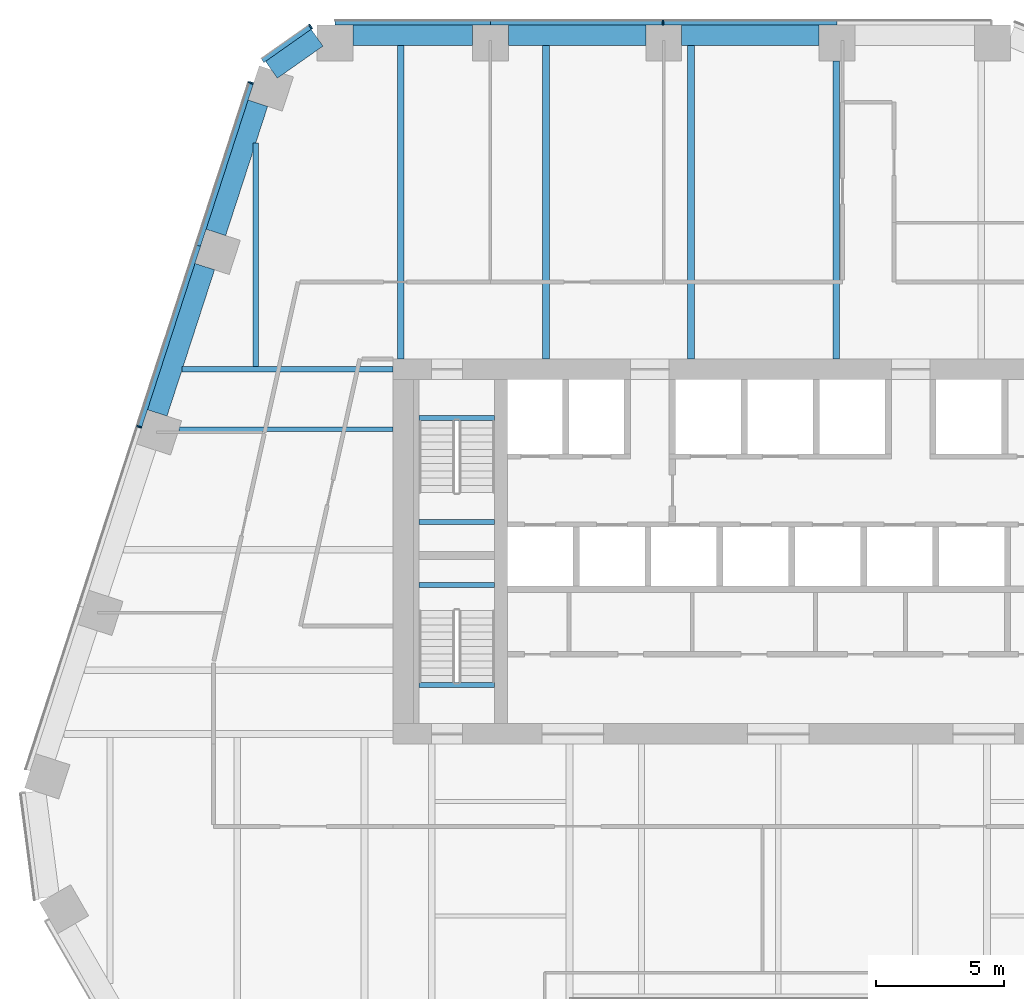
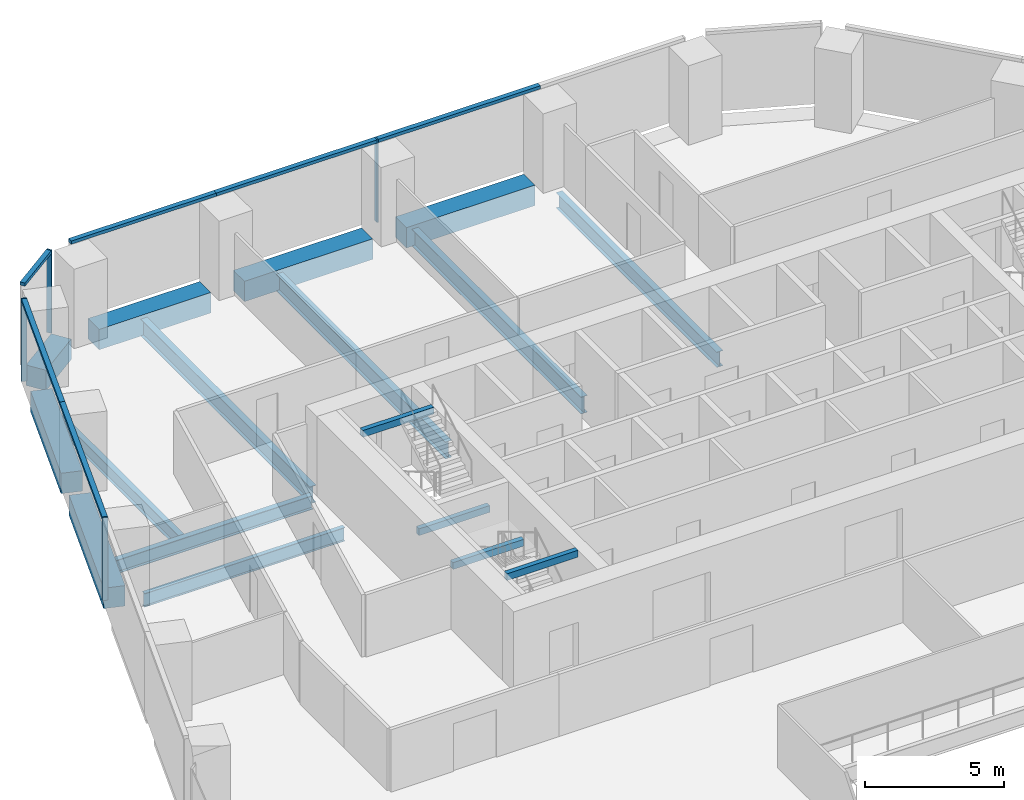
# One storey, part 7 of 16: 17 beams, 10 members, 3 elements without a shape of their own.
"""IFC4 building model written with IfcOpenShell, lengths in metres."""

from ifc_helpers import new_model, si_unit, direction, frame, origin, origin_2d, place, context, subcontext, project, spatial, rectangle, i_section, extrude, material, layer, layer_set, material_profile, profile_set, type_object, element, aggregate, save


model = new_model("IFC4")

# Units and contexts
model_context = context("Model", 3, precision=1e-05, world=origin(), true_north=direction((0.0, 1.0)))
body_context = subcontext(model_context, "Body", "Model", "MODEL_VIEW")
ifc_project = project(units=[si_unit("LENGTHUNIT", "METRE"), si_unit("AREAUNIT", "SQUARE_METRE"), si_unit("VOLUMEUNIT", "CUBIC_METRE"), si_unit("PLANEANGLEUNIT", "RADIAN"), si_unit("MASSUNIT", "GRAM", prefix="KILO")], contexts=[model_context])

# Site, building, storey
site_placement = place(None, origin())
site = spatial("IfcSite", under=ifc_project, at=site_placement, CompositionType="ELEMENT")
building_placement = place(site_placement, origin())
building = spatial("IfcBuilding", under=site, at=building_placement, Name="Isthmus Gate Tower", CompositionType="ELEMENT")
storey_placement = place(building_placement, frame((0.0, 0.0, 137.10009765625)))
storey = spatial("IfcBuildingStorey", under=building, at=storey_placement, Name="L33", CompositionType="ELEMENT", Elevation=137.10009765625)

# Curtain wall, member
ifc_material_1 = material(Name="Aluminium, pale champagne anodised", Category="aluminium")
ifc_layer = layer(ifc_material_1, 0.199951171875)
ifc_layer_set = layer_set([ifc_layer], Name="CW-1 UNITISED CURTAIN WALL 200 DEEP")
curtain_wall_type = type_object("IfcCurtainWallType", Name="CW-1 UNITISED CURTAIN WALL 200 DEEP", PredefinedType="NOTDEFINED", material=ifc_layer_set)
curtain_wall_1_placement = place(storey_placement, origin())
curtain_wall_1 = element("IfcCurtainWall", 1, at=curtain_wall_1_placement, inside=storey, type_object=curtain_wall_type, Name="CW-1 N L33", PredefinedType="NOTDEFINED")
ifc_material_2 = material(Name="Aluminium, pale champagne anodised", Category="aluminium")
ifc_material_profile_1 = material_profile(ifc_material_2, rectangle(XDim=0.06005859375, YDim=0.199951171875, at=origin_2d()), Name="60x200")
ifc_profile_set_1 = profile_set([ifc_material_profile_1], Name="Aluminium, pale champagne anodised")
member_type_1 = type_object("IfcMemberType", Name="CW-1 MULLION 60 X 200", PredefinedType="MULLION", material=ifc_profile_set_1)
member_1_placement = place(storey_placement, frame((-4.49169921875, 28.10009765625, 0.0), z_axis=(0.0, 0.0, 1.0), x_axis=(-1.0, 0.0, 0.0)))
member_1 = element("IfcMember", 2, at=member_1_placement, type_object=member_type_1, Name="CW-1 mullion", PredefinedType="MULLION", context=body_context, shape_type="SweptSolid", body=[
    extrude(rectangle(XDim=0.06005859375, YDim=0.199951171875, at=origin_2d()), origin(), (0.0, 0.0, 1.0), 3.64990234375),
])

curtain_wall_2_placement = place(storey_placement, origin())
curtain_wall_2 = element("IfcCurtainWall", 3, at=curtain_wall_2_placement, inside=storey, type_object=curtain_wall_type, Name="CW-1 N-NW L33", PredefinedType="NOTDEFINED")
member_2_placement = place(storey_placement, frame((-18.216552734375, 27.943115234375, 0.0), z_axis=(0.0, 0.0, 1.0), x_axis=(-0.81785959165, -0.57541783805, 0.0)))
member_2 = element("IfcMember", 4, at=member_2_placement, type_object=member_type_1, Name="CW-1 mullion", PredefinedType="MULLION", context=body_context, shape_type="SweptSolid", body=[
    extrude(rectangle(XDim=0.06005859375, YDim=0.199951171875, at=origin_2d()), origin(), (0.0, 0.0, 1.0), 3.64990234375),
])

# Curtain wall, members
curtain_wall_3_placement = place(storey_placement, origin())
curtain_wall_3 = element("IfcCurtainWall", 5, at=curtain_wall_3_placement, inside=storey, type_object=curtain_wall_type, Name="CW-1 NW L33", PredefinedType="NOTDEFINED")
member_3_placement = place(storey_placement, frame((-20.53564453125, 25.75146484375, 0.0), z_axis=(0.0, 0.0, 1.0), x_axis=(-0.309016994375, -0.951056516295, 0.0)))
member_3 = element("IfcMember", 6, at=member_3_placement, type_object=member_type_1, Name="CW-1 mullion", PredefinedType="MULLION", context=body_context, shape_type="SweptSolid", body=[
    extrude(rectangle(XDim=0.06005859375, YDim=0.199951171875, at=origin_2d()), origin(), (0.0, 0.0, 1.0), 3.64990234375),
])
member_4_placement = place(storey_placement, frame((-24.886962890625, 12.359130859375, 0.0), z_axis=(0.0, 0.0, 1.0), x_axis=(-0.309016994375, -0.951056516295, 0.0)))
member_4 = element("IfcMember", 7, at=member_4_placement, type_object=member_type_1, Name="CW-1 mullion", PredefinedType="MULLION", context=body_context, shape_type="SweptSolid", body=[
    extrude(rectangle(XDim=0.06005859375, YDim=0.199951171875, at=origin_2d()), origin(), (0.0, 0.0, 1.0), 3.64990234375),
])

# Member
ifc_material_3 = material(Name="Aluminium, pale champagne anodised", Category="aluminium")
ifc_material_profile_2 = material_profile(ifc_material_3, rectangle(XDim=0.199951171875, YDim=0.139892578125, at=origin_2d()), Name="200x140")
ifc_profile_set_2 = profile_set([ifc_material_profile_2], Name="Aluminium, pale champagne anodised")
member_type_2 = type_object("IfcMemberType", Name="CW-1 TRANSOM 200 X 140", PredefinedType="USERDEFINED", material=ifc_profile_set_2)
member_5_placement = place(storey_placement, frame((2.288330078125, 28.10009765625, 3.579833984375), z_axis=(-1.0, 0.0, 0.0), x_axis=(0.0, -1.0, 0.0)))
member_5 = element("IfcMember", 8, at=member_5_placement, type_object=member_type_2, Name="CW-1 transom", ObjectType="TRANSOM", PredefinedType="USERDEFINED", context=body_context, shape_type="SweptSolid", body=[
    extrude(rectangle(XDim=0.199951171875, YDim=0.139892578125, at=origin_2d()), origin(), (0.0, 0.0, 1.0), 6.75),
])

member_6_placement = place(storey_placement, frame((-4.521728515625, 28.10009765625, 3.579833984375), z_axis=(-1.0, 0.0, 0.0), x_axis=(0.0, -1.0, 0.0)))
member_6 = element("IfcMember", 9, at=member_6_placement, type_object=member_type_2, Name="CW-1 transom", ObjectType="TRANSOM", PredefinedType="USERDEFINED", context=body_context, shape_type="SweptSolid", body=[
    extrude(rectangle(XDim=0.199951171875, YDim=0.139892578125, at=origin_2d()), origin(), (0.0, 0.0, 1.0), 6.690185546875),
])

member_7_placement = place(storey_placement, frame((-11.2119140625, 28.10009765625, 3.579833984375), z_axis=(-1.0, 0.0, 0.0), x_axis=(0.0, -1.0, 0.0)))
member_7 = element("IfcMember", 10, at=member_7_placement, type_object=member_type_2, Name="CW-1 transom", ObjectType="TRANSOM", PredefinedType="USERDEFINED", context=body_context, shape_type="SweptSolid", body=[
    extrude(rectangle(XDim=0.199951171875, YDim=0.139892578125, at=origin_2d()), origin(), (0.0, 0.0, 1.0), 6.050048828125),
])

aggregate(curtain_wall_1, [member_5, member_1, member_6, member_7])

member_8_placement = place(storey_placement, frame((-18.2412109375, 27.92578125, 3.579833984375), z_axis=(-0.817868595604, -0.575405040233, 0.0), x_axis=(0.575405040233, -0.817868595604, 0.0)))
member_8 = element("IfcMember", 11, at=member_8_placement, type_object=member_type_2, Name="CW-1 transom", ObjectType="TRANSOM", PredefinedType="USERDEFINED", context=body_context, shape_type="SweptSolid", body=[
    extrude(rectangle(XDim=0.199951171875, YDim=0.139892578125, at=origin_2d()), origin(), (0.0, 0.0, 1.0), 2.258544921875),
])

aggregate(curtain_wall_2, [member_2, member_8])

member_9_placement = place(storey_placement, frame((-20.544921875, 25.72314453125, 3.579833984375), z_axis=(-0.30898366881, -0.951067343782, 0.0), x_axis=(0.951067343782, -0.30898366881, 0.0)))
member_9 = element("IfcMember", 12, at=member_9_placement, type_object=member_type_2, Name="CW-1 transom", ObjectType="TRANSOM", PredefinedType="USERDEFINED", context=body_context, shape_type="SweptSolid", body=[
    extrude(rectangle(XDim=0.199951171875, YDim=0.139892578125, at=origin_2d()), origin(), (0.0, 0.0, 1.0), 6.630859375),
])

member_10_placement = place(storey_placement, frame((-22.59375, 19.416748046875, 3.579833984375), z_axis=(-0.309024076379, -0.951054215183, 0.0), x_axis=(0.951054215183, -0.309024076379, 0.0)))
member_10 = element("IfcMember", 13, at=member_10_placement, type_object=member_type_2, Name="CW-1 transom", ObjectType="TRANSOM", PredefinedType="USERDEFINED", context=body_context, shape_type="SweptSolid", body=[
    extrude(rectangle(XDim=0.199951171875, YDim=0.139892578125, at=origin_2d()), origin(), (0.0, 0.0, 1.0), 7.390869140625),
])

aggregate(curtain_wall_3, [member_3, member_9, member_10, member_4])

# Beams
ifc_material_4 = material(Name="Concrete f'c 60 MPa", Category="concrete")
ifc_material_profile_3 = material_profile(ifc_material_4, rectangle(XDim=0.800048828125, YDim=0.89990234375, at=origin_2d()), Name="RC 800X900")
ifc_profile_set_3 = profile_set([ifc_material_profile_3], Name="Concrete f'c 60 MPa")
beam_type_1 = type_object("IfcBeamType", Name="RC SPANDREL 800 X 900", PredefinedType="SPANDREL", material=ifc_profile_set_3)
beam_1_placement = place(storey_placement, frame((-24.185791015625, 12.89892578125, -0.4501953125), z_axis=(0.308992998998, 0.951064312531, 0.0), x_axis=(-0.951064312531, 0.308992998998, 0.0)))
element("IfcBeam", 14, at=beam_1_placement, inside=storey, type_object=beam_type_1, Name="str-spandrel-L33-23", PredefinedType="SPANDREL", context=body_context, shape_type="SweptSolid", body=[
    extrude(rectangle(XDim=0.800048828125, YDim=0.89990234375, at=origin_2d()), origin(), (0.0, 0.0, 1.0), 5.99072265625),
])
beam_2_placement = place(storey_placement, frame((-21.902099609375, 19.927978515625, -0.4501953125), z_axis=(0.309020339202, 0.951055429489, 0.0), x_axis=(-0.951055429489, 0.309020339202, 0.0)))
element("IfcBeam", 15, at=beam_2_placement, inside=storey, type_object=beam_type_1, Name="str-spandrel-L33-24", PredefinedType="SPANDREL", context=body_context, shape_type="SweptSolid", body=[
    extrude(rectangle(XDim=0.800048828125, YDim=0.89990234375, at=origin_2d()), origin(), (0.0, 0.0, 1.0), 5.291015625),
])
beam_3_placement = place(storey_placement, frame((-19.7392578125, 26.260498046875, -0.4501953125), z_axis=(0.817857331203, 0.575421050882, 0.0), x_axis=(-0.575421050882, 0.817857331203, 0.0)))
element("IfcBeam", 16, at=beam_3_placement, inside=storey, type_object=beam_type_1, Name="str-spandrel-L33-25", PredefinedType="SPANDREL", context=body_context, shape_type="SweptSolid", body=[
    extrude(rectangle(XDim=0.800048828125, YDim=0.89990234375, at=origin_2d()), origin(), (0.0, 0.0, 1.0), 2.173095703125),
])
beam_4_placement = place(storey_placement, frame((-16.56201171875, 27.60009765625, -0.4501953125), z_axis=(1.0, 0.0, 0.0), x_axis=(0.0, 1.0, 0.0)))
element("IfcBeam", 17, at=beam_4_placement, inside=storey, type_object=beam_type_1, Name="str-spandrel-L33-26", PredefinedType="SPANDREL", context=body_context, shape_type="SweptSolid", body=[
    extrude(rectangle(XDim=0.800048828125, YDim=0.89990234375, at=origin_2d()), origin(), (0.0, 0.0, 1.0), 4.650146484375),
])
for number, where, z_axis, x_axis, name in (
    (18, (-10.51171875, 27.60009765625, -0.4501953125), (1.0, 0.0, 0.0), (0.0, 1.0, 0.0), "str-spandrel-L33-27"),
    (19, (-3.76171875, 27.60009765625, -0.4501953125), (1.0, 0.0, 0.0), (0.0, 1.0, 0.0), "str-spandrel-L33-28"),
):
    element("IfcBeam", number, at=place(storey_placement, frame(where, z_axis=z_axis, x_axis=x_axis)), inside=storey, type_object=beam_type_1, Name=name, PredefinedType="SPANDREL", context=body_context, shape_type="SweptSolid", body=[
        extrude(rectangle(XDim=0.800048828125, YDim=0.89990234375, at=origin_2d()), origin(), (0.0, 0.0, 1.0), 5.35009765625),
    ])
ifc_material_5 = material(Name="Concrete f'c 40 MPa", Category="concrete")
ifc_material_profile_4 = material_profile(ifc_material_5, rectangle(XDim=0.199951171875, YDim=0.300048828125, at=origin_2d()), Name="STAIR LANDING BEAM RC 200 X 300")
ifc_profile_set_4 = profile_set([ifc_material_profile_4], Name="Concrete f'c 40 MPa")
beam_type_2 = type_object("IfcBeamType", Name="STAIR LANDING BEAM RC 200 X 300", PredefinedType="BEAM", material=ifc_profile_set_4)
for number, where, z_axis, x_axis, name in (
    (20, (-14.0, 8.64990234375, 1.474853515625), (1.0, 0.0, 0.0), (0.0, 1.0, 0.0), "L33 ST1 landing beam 1"),
    (21, (-14.0, 12.7001953125, 3.349853515625), (1.0, 0.0, 0.0), (0.0, 1.0, 0.0), "L33 ST1 floor-edge seat beam"),
    (22, (-14.0, 6.199951171875, 1.474853515625), (1.0, 0.0, 0.0), (0.0, 1.0, 0.0), "L33 ST7 landing beam 1"),
    (23, (-14.0, 2.2998046875, 3.349853515625), (1.0, 0.0, 0.0), (0.0, 1.0, 0.0), "L33 ST7 floor-edge seat beam"),
):
    element("IfcBeam", number, at=place(storey_placement, frame(where, z_axis=z_axis, x_axis=x_axis)), inside=storey, type_object=beam_type_2, Name=name, PredefinedType="BEAM", context=body_context, shape_type="SweptSolid", body=[
        extrude(rectangle(XDim=0.199951171875, YDim=0.300048828125, at=origin_2d()), origin(), (0.0, 0.0, 1.0), 2.949951171875),
    ])
ifc_material_6 = material(Name="Structural steel ASTM A992 Gr 50", Category="steel")
ifc_material_profile_5 = material_profile(ifc_material_6, i_section(OverallWidth=0.177734375, OverallDepth=0.60009765625, WebThickness=0.009521484375, FlangeThickness=0.0126953125, at=origin_2d()), Name="W24X55")
ifc_profile_set_5 = profile_set([ifc_material_profile_5], Name="Structural steel ASTM A992 Gr 50")
beam_type_3 = type_object("IfcBeamType", Name="STEEL FLOOR BEAM W24X55", PredefinedType="JOIST", material=ifc_profile_set_5)
beam_5_placement = place(storey_placement, frame((-23.343505859375, 12.25537109375, -0.4501953125), z_axis=(1.0, 0.0, 0.0), x_axis=(0.0, 1.0, 0.0)))
element("IfcBeam", 24, at=beam_5_placement, inside=storey, type_object=beam_type_3, Name="str-beam-L33-01-02", PredefinedType="JOIST", context=body_context, shape_type="SweptSolid", body=[
    extrude(i_section(OverallWidth=0.177734375, OverallDepth=0.60009765625, WebThickness=0.009521484375, FlangeThickness=0.0126953125, at=origin_2d()), origin(), (0.0, 0.0, 1.0), 8.343505859375),
])
ifc_material_7 = material(Name="Structural steel ASTM A992 Gr 50", Category="steel")
ifc_material_profile_6 = material_profile(ifc_material_7, i_section(OverallWidth=0.228515625, OverallDepth=0.603271484375, WebThickness=0.010986328125, FlangeThickness=0.014404296875, at=origin_2d()), Name="W24X68")
ifc_profile_set_6 = profile_set([ifc_material_profile_6], Name="Structural steel ASTM A992 Gr 50")
beam_type_4 = type_object("IfcBeamType", Name="STEEL FLOOR BEAM W24X68", PredefinedType="JOIST", material=ifc_profile_set_6)
beam_6_placement = place(storey_placement, frame((-20.35009765625, 14.71435546875, -0.45166015625), z_axis=(0.0, 1.0, 0.0), x_axis=(-1.0, 0.0, 0.0)))
element("IfcBeam", 25, at=beam_6_placement, inside=storey, type_object=beam_type_4, Name="str-beam-L33-05-00", PredefinedType="JOIST", context=body_context, shape_type="SweptSolid", body=[
    extrude(i_section(OverallWidth=0.228515625, OverallDepth=0.603271484375, WebThickness=0.010986328125, FlangeThickness=0.014404296875, at=origin_2d()), origin(), (0.0, 0.0, 1.0), 8.6953125),
])
ifc_material_8 = material(Name="Structural steel ASTM A992 Gr 50", Category="steel")
ifc_material_profile_7 = material_profile(ifc_material_8, i_section(OverallWidth=0.25390625, OverallDepth=0.679443359375, WebThickness=0.010986328125, FlangeThickness=0.015869140625, at=origin_2d()), Name="W27X84")
ifc_profile_set_7 = profile_set([ifc_material_profile_7], Name="Structural steel ASTM A992 Gr 50")
beam_type_5 = type_object("IfcBeamType", Name="STEEL FLOOR BEAM W27X84", PredefinedType="JOIST", material=ifc_profile_set_7)
beam_7_placement = place(storey_placement, frame((2.25244140625, 15.0, -0.48974609375), z_axis=(0.0, 1.0, 0.0), x_axis=(-1.0, 0.0, 0.0)))
element("IfcBeam", 26, at=beam_7_placement, inside=storey, type_object=beam_type_5, Name="str-beam-L33-05-04", PredefinedType="JOIST", context=body_context, shape_type="SweptSolid", body=[
    extrude(i_section(OverallWidth=0.25390625, OverallDepth=0.679443359375, WebThickness=0.010986328125, FlangeThickness=0.015869140625, at=origin_2d()), origin(), (0.0, 0.0, 1.0), 11.60009765625),
])
ifc_material_9 = material(Name="Structural steel ASTM A992 Gr 50", Category="steel")
ifc_material_profile_8 = material_profile(ifc_material_9, i_section(OverallWidth=0.263427734375, OverallDepth=0.749267578125, WebThickness=0.0126953125, FlangeThickness=0.015869140625, at=origin_2d()), Name="W30X90")
ifc_profile_set_8 = profile_set([ifc_material_profile_8], Name="Structural steel ASTM A992 Gr 50")
beam_type_6 = type_object("IfcBeamType", Name="STEEL FLOOR BEAM W30X90", PredefinedType="JOIST", material=ifc_profile_set_8)
for number, where, z_axis, x_axis, name in (
    (27, (-14.699462890625, 15.0, -0.524658203125), (0.0, 1.0, 0.0), (-1.0, 0.0, 0.0), "str-beam-L33-05-01"),
    (28, (-9.048828125, 15.0, -0.524658203125), (0.0, 1.0, 0.0), (-1.0, 0.0, 0.0), "str-beam-L33-05-02"),
    (29, (-3.398193359375, 15.0, -0.524658203125), (0.0, 1.0, 0.0), (-1.0, 0.0, 0.0), "str-beam-L33-05-03"),
):
    element("IfcBeam", number, at=place(storey_placement, frame(where, z_axis=z_axis, x_axis=x_axis)), inside=storey, type_object=beam_type_6, Name=name, PredefinedType="JOIST", context=body_context, shape_type="SweptSolid", body=[
        extrude(i_section(OverallWidth=0.263427734375, OverallDepth=0.749267578125, WebThickness=0.0126953125, FlangeThickness=0.015869140625, at=origin_2d()), origin(), (0.0, 0.0, 1.0), 12.199951171875),
    ])
ifc_material_10 = material(Name="Structural steel ASTM A992 Gr 50", Category="steel")
ifc_material_profile_9 = material_profile(ifc_material_10, i_section(OverallWidth=0.228515625, OverallDepth=0.6064453125, WebThickness=0.010986328125, FlangeThickness=0.017578125, at=origin_2d()), Name="W24X76")
ifc_profile_set_9 = profile_set([ifc_material_profile_9], Name="Structural steel ASTM A992 Gr 50")
beam_type_7 = type_object("IfcBeamType", Name="STEEL GIRDER W24X76", PredefinedType="BEAM", material=ifc_profile_set_9)
beam_8_placement = place(storey_placement, frame((-15.0, 14.60009765625, -0.453369140625), z_axis=(-1.0, 0.0, 0.0), x_axis=(0.0, -1.0, 0.0)))
element("IfcBeam", 30, at=beam_8_placement, inside=storey, type_object=beam_type_7, Name="str-girder-L33-15", PredefinedType="BEAM", context=body_context, shape_type="SweptSolid", body=[
    extrude(i_section(OverallWidth=0.228515625, OverallDepth=0.6064453125, WebThickness=0.010986328125, FlangeThickness=0.017578125, at=origin_2d()), origin(), (0.0, 0.0, 1.0), 8.212646484375),
])

save(model, "model.ifc")
